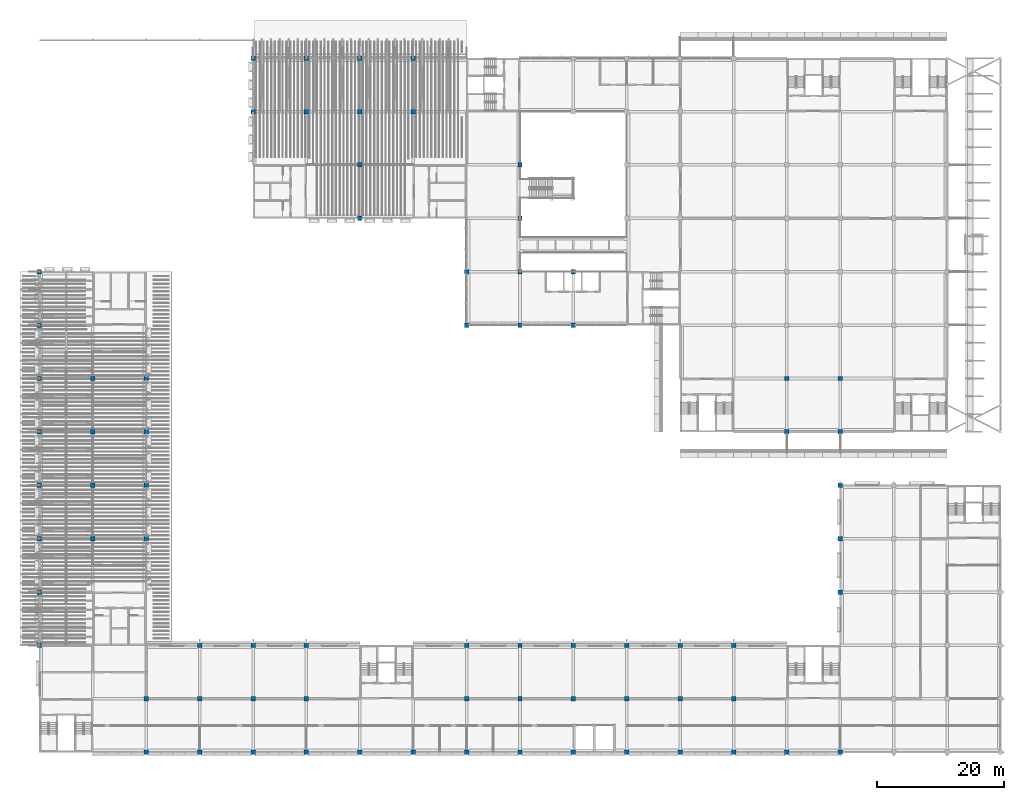
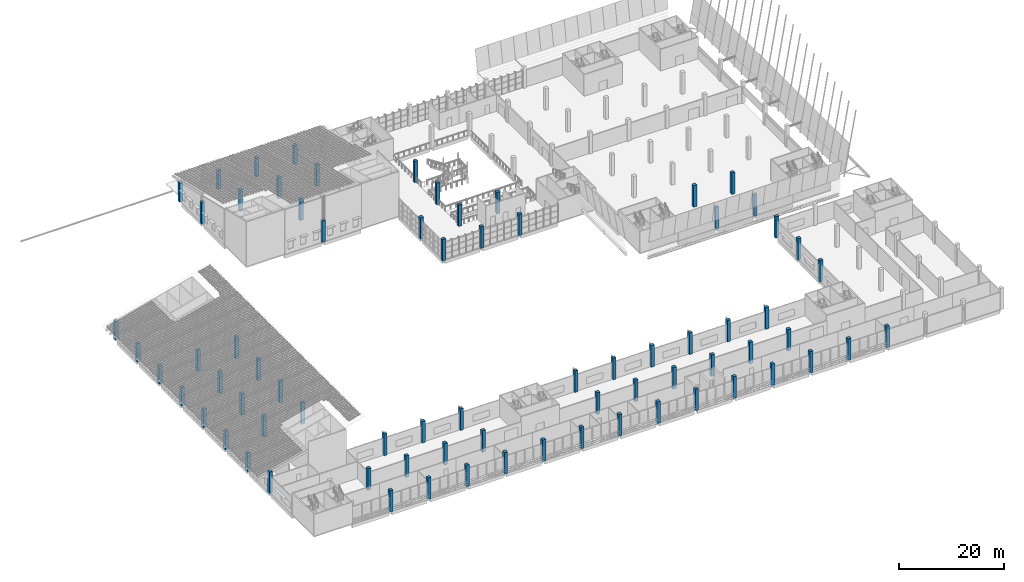
# One storey, part 1 of 82: 74 columns.
"""IFC4 building model written with IfcOpenShell, lengths in metres."""

from ifc_helpers import new_model, si_unit, direction, frame, origin, origin_2d, place, context, subcontext, project, spatial, rectangle, extrude, material, material_profile, profile_set, type_object, element, save


model = new_model("IFC4")

# Units and contexts
model_context = context("Model", 3, precision=1e-05, world=origin(), true_north=direction((0.0, 1.0)))
body_context = subcontext(model_context, "Body", "Model", "MODEL_VIEW")
ifc_project = project(units=[si_unit("LENGTHUNIT", "METRE"), si_unit("AREAUNIT", "SQUARE_METRE"), si_unit("VOLUMEUNIT", "CUBIC_METRE"), si_unit("PLANEANGLEUNIT", "RADIAN"), si_unit("MASSUNIT", "GRAM", prefix="KILO")], contexts=[model_context])

# Site, building, storey
site_placement = place(None, origin())
site = spatial("IfcSite", under=ifc_project, at=site_placement, CompositionType="ELEMENT")
building_placement = place(site_placement, origin())
building = spatial("IfcBuilding", under=site, at=building_placement, Name="Almond Square Museum", CompositionType="ELEMENT")
storey_placement = place(building_placement, frame((0.0, 0.0, 20.0)))
storey = spatial("IfcBuildingStorey", under=building, at=storey_placement, Name="L03", CompositionType="ELEMENT", Elevation=20.0)

# Columns
ifc_material = material(Name="Concrete C40/50", Category="concrete")
ifc_material_profile = material_profile(ifc_material, rectangle(XDim=0.699951171875, YDim=0.699951171875, at=origin_2d()))
ifc_profile_set = profile_set([ifc_material_profile], Name="Concrete C40/50")
column_type = type_object("IfcColumnType", Name="RC column 700 x 700 C40/50", PredefinedType="COLUMN", material=ifc_profile_set)
column_1_placement = place(storey_placement, frame((6.0, 16.800048828125, 0.0), z_axis=(0.0, 0.0, 1.0), x_axis=(1.0, 0.0, 0.0)))
element("IfcColumn", 1, at=column_1_placement, inside=storey, type_object=column_type, Name="Column 2-C L03", PredefinedType="COLUMN", context=body_context, shape_type="SweptSolid", body=[
    extrude(rectangle(XDim=0.699951171875, YDim=0.699951171875, at=origin_2d()), origin(), (0.0, 0.0, 1.0), 5.0),
])
for number, where, z_axis, x_axis, name in (
    (2, (6.0, 25.199951171875, 0.0), (0.0, 0.0, 1.0), (1.0, 0.0, 0.0), "Column 2-D L03"),
    (3, (6.0, 33.60009765625, 0.0), (0.0, 0.0, 1.0), (1.0, 0.0, 0.0), "Column 2-E L03"),
    (4, (6.0, 42.0, 0.0), (0.0, 0.0, 1.0), (1.0, 0.0, 0.0), "Column 2-F L03"),
    (5, (6.0, 50.39990234375, 0.0), (0.0, 0.0, 1.0), (1.0, 0.0, 0.0), "Column 2-G L03"),
    (6, (6.0, 58.800048828125, 0.0), (0.0, 0.0, 1.0), (1.0, 0.0, 0.0), "Column 2-H L03"),
    (7, (6.0, 67.199951171875, 0.0), (0.0, 0.0, 1.0), (1.0, 0.0, 0.0), "Column 2-I L03"),
    (8, (6.0, 75.60009765625, 0.0), (0.0, 0.0, 1.0), (1.0, 0.0, 0.0), "Column 2-J L03"),
):
    element("IfcColumn", number, at=place(storey_placement, frame(where, z_axis=z_axis, x_axis=x_axis)), inside=storey, type_object=column_type, Name=name, PredefinedType="COLUMN", context=body_context, shape_type="SweptSolid", body=[
        extrude(rectangle(XDim=0.699951171875, YDim=0.699951171875, at=origin_2d()), origin(), (0.0, 0.0, 1.0), 4.344970703125),
    ])
for number, where, z_axis, x_axis, name in (
    (9, (14.39990234375, 33.60009765625, 0.0), (0.0, 0.0, 1.0), (1.0, 0.0, 0.0), "Column 3-E L03"),
    (10, (14.39990234375, 42.0, 0.0), (0.0, 0.0, 1.0), (1.0, 0.0, 0.0), "Column 3-F L03"),
    (11, (14.39990234375, 50.39990234375, 0.0), (0.0, 0.0, 1.0), (1.0, 0.0, 0.0), "Column 3-G L03"),
    (12, (14.39990234375, 58.800048828125, 0.0), (0.0, 0.0, 1.0), (1.0, 0.0, 0.0), "Column 3-H L03"),
    (13, (22.800048828125, 0.0, 0.0), (0.0, 0.0, 1.0), (1.0, 0.0, 0.0), "Column 4-A L03"),
    (14, (22.800048828125, 8.39990234375, 0.0), (0.0, 0.0, 1.0), (1.0, 0.0, 0.0), "Column 4-B L03"),
    (15, (22.800048828125, 33.60009765625, 0.0), (0.0, 0.0, 1.0), (1.0, 0.0, 0.0), "Column 4-E L03"),
    (16, (22.800048828125, 42.0, 0.0), (0.0, 0.0, 1.0), (1.0, 0.0, 0.0), "Column 4-F L03"),
    (17, (22.800048828125, 50.39990234375, 0.0), (0.0, 0.0, 1.0), (1.0, 0.0, 0.0), "Column 4-G L03"),
    (18, (22.800048828125, 58.800048828125, 0.0), (0.0, 0.0, 1.0), (1.0, 0.0, 0.0), "Column 4-H L03"),
    (19, (31.199951171875, 0.0, 0.0), (0.0, 0.0, 1.0), (1.0, 0.0, 0.0), "Column 5-A L03"),
    (20, (31.199951171875, 8.39990234375, 0.0), (0.0, 0.0, 1.0), (1.0, 0.0, 0.0), "Column 5-B L03"),
    (21, (31.199951171875, 16.800048828125, 0.0), (0.0, 0.0, 1.0), (1.0, 0.0, 0.0), "Column 5-C L03"),
    (22, (39.60009765625, 0.0, 0.0), (0.0, 0.0, 1.0), (1.0, 0.0, 0.0), "Column 6-A L03"),
    (23, (39.60009765625, 8.39990234375, 0.0), (0.0, 0.0, 1.0), (1.0, 0.0, 0.0), "Column 6-B L03"),
    (24, (39.60009765625, 16.800048828125, 0.0), (0.0, 0.0, 1.0), (1.0, 0.0, 0.0), "Column 6-C L03"),
    (25, (39.60009765625, 100.800048828125, 0.0), (0.0, 0.0, 1.0), (1.0, 0.0, 0.0), "Column 6-M L03"),
):
    element("IfcColumn", number, at=place(storey_placement, frame(where, z_axis=z_axis, x_axis=x_axis)), inside=storey, type_object=column_type, Name=name, PredefinedType="COLUMN", context=body_context, shape_type="SweptSolid", body=[
        extrude(rectangle(XDim=0.699951171875, YDim=0.699951171875, at=origin_2d()), origin(), (0.0, 0.0, 1.0), 5.0),
    ])
column_2_placement = place(storey_placement, frame((39.60009765625, 109.199951171875, 0.0), z_axis=(0.0, 0.0, 1.0), x_axis=(1.0, 0.0, 0.0)))
element("IfcColumn", 26, at=column_2_placement, inside=storey, type_object=column_type, Name="Column 6-N L03", PredefinedType="COLUMN", context=body_context, shape_type="SweptSolid", body=[
    extrude(rectangle(XDim=0.699951171875, YDim=0.699951171875, at=origin_2d()), origin(), (0.0, 0.0, 1.0), 4.35009765625),
])
for number, where, z_axis, x_axis, name in (
    (27, (48.0, 0.0, 0.0), (0.0, 0.0, 1.0), (1.0, 0.0, 0.0), "Column 7-A L03"),
    (28, (48.0, 8.39990234375, 0.0), (0.0, 0.0, 1.0), (1.0, 0.0, 0.0), "Column 7-B L03"),
    (29, (48.0, 16.800048828125, 0.0), (0.0, 0.0, 1.0), (1.0, 0.0, 0.0), "Column 7-C L03"),
    (30, (48.0, 100.800048828125, 0.0), (0.0, 0.0, 1.0), (1.0, 0.0, 0.0), "Column 7-M L03"),
):
    element("IfcColumn", number, at=place(storey_placement, frame(where, z_axis=z_axis, x_axis=x_axis)), inside=storey, type_object=column_type, Name=name, PredefinedType="COLUMN", context=body_context, shape_type="SweptSolid", body=[
        extrude(rectangle(XDim=0.699951171875, YDim=0.699951171875, at=origin_2d()), origin(), (0.0, 0.0, 1.0), 5.0),
    ])
column_3_placement = place(storey_placement, frame((48.0, 109.199951171875, 0.0), z_axis=(0.0, 0.0, 1.0), x_axis=(1.0, 0.0, 0.0)))
element("IfcColumn", 31, at=column_3_placement, inside=storey, type_object=column_type, Name="Column 7-N L03", PredefinedType="COLUMN", context=body_context, shape_type="SweptSolid", body=[
    extrude(rectangle(XDim=0.699951171875, YDim=0.699951171875, at=origin_2d()), origin(), (0.0, 0.0, 1.0), 4.35009765625),
])
for number, where, z_axis, x_axis, name in (
    (32, (56.39990234375, 0.0, 0.0), (0.0, 0.0, 1.0), (1.0, 0.0, 0.0), "Column 8-A L03"),
    (33, (56.39990234375, 84.0, 0.0), (0.0, 0.0, 1.0), (1.0, 0.0, 0.0), "Column 8-K L03"),
    (34, (56.39990234375, 92.39990234375, 0.0), (0.0, 0.0, 1.0), (1.0, 0.0, 0.0), "Column 8-L L03"),
    (35, (56.39990234375, 100.800048828125, 0.0), (0.0, 0.0, 1.0), (1.0, 0.0, 0.0), "Column 8-M L03"),
):
    element("IfcColumn", number, at=place(storey_placement, frame(where, z_axis=z_axis, x_axis=x_axis)), inside=storey, type_object=column_type, Name=name, PredefinedType="COLUMN", context=body_context, shape_type="SweptSolid", body=[
        extrude(rectangle(XDim=0.699951171875, YDim=0.699951171875, at=origin_2d()), origin(), (0.0, 0.0, 1.0), 5.0),
    ])
column_4_placement = place(storey_placement, frame((56.39990234375, 109.199951171875, 0.0), z_axis=(0.0, 0.0, 1.0), x_axis=(1.0, 0.0, 0.0)))
element("IfcColumn", 36, at=column_4_placement, inside=storey, type_object=column_type, Name="Column 8-N L03", PredefinedType="COLUMN", context=body_context, shape_type="SweptSolid", body=[
    extrude(rectangle(XDim=0.699951171875, YDim=0.699951171875, at=origin_2d()), origin(), (0.0, 0.0, 1.0), 4.35009765625),
])
for number, where, z_axis, x_axis, name in (
    (37, (64.800048828125, 0.0, 0.0), (0.0, 0.0, 1.0), (1.0, 0.0, 0.0), "Column 9-A L03"),
    (38, (64.800048828125, 100.800048828125, 0.0), (0.0, 0.0, 1.0), (1.0, 0.0, 0.0), "Column 9-M L03"),
):
    element("IfcColumn", number, at=place(storey_placement, frame(where, z_axis=z_axis, x_axis=x_axis)), inside=storey, type_object=column_type, Name=name, PredefinedType="COLUMN", context=body_context, shape_type="SweptSolid", body=[
        extrude(rectangle(XDim=0.699951171875, YDim=0.699951171875, at=origin_2d()), origin(), (0.0, 0.0, 1.0), 5.0),
    ])
column_5_placement = place(storey_placement, frame((64.800048828125, 109.199951171875, 0.0), z_axis=(0.0, 0.0, 1.0), x_axis=(1.0, 0.0, 0.0)))
element("IfcColumn", 39, at=column_5_placement, inside=storey, type_object=column_type, Name="Column 9-N L03", PredefinedType="COLUMN", context=body_context, shape_type="SweptSolid", body=[
    extrude(rectangle(XDim=0.699951171875, YDim=0.699951171875, at=origin_2d()), origin(), (0.0, 0.0, 1.0), 4.35009765625),
])
for number, where, z_axis, x_axis, name in (
    (40, (73.199951171875, 0.0, 0.0), (0.0, 0.0, 1.0), (1.0, 0.0, 0.0), "Column 10-A L03"),
    (41, (73.199951171875, 8.39990234375, 0.0), (0.0, 0.0, 1.0), (1.0, 0.0, 0.0), "Column 10-B L03"),
    (42, (73.199951171875, 16.800048828125, 0.0), (0.0, 0.0, 1.0), (1.0, 0.0, 0.0), "Column 10-C L03"),
    (43, (73.199951171875, 67.199951171875, 0.0), (0.0, 0.0, 1.0), (1.0, 0.0, 0.0), "Column 10-I L03"),
    (44, (73.199951171875, 75.60009765625, 0.0), (0.0, 0.0, 1.0), (1.0, 0.0, 0.0), "Column 10-J L03"),
    (45, (81.60009765625, 0.0, 0.0), (0.0, 0.0, 1.0), (1.0, 0.0, 0.0), "Column 11-A L03"),
    (46, (81.60009765625, 8.39990234375, 0.0), (0.0, 0.0, 1.0), (1.0, 0.0, 0.0), "Column 11-B L03"),
    (47, (81.60009765625, 16.800048828125, 0.0), (0.0, 0.0, 1.0), (1.0, 0.0, 0.0), "Column 11-C L03"),
    (48, (81.60009765625, 67.199951171875, 0.0), (0.0, 0.0, 1.0), (1.0, 0.0, 0.0), "Column 11-I L03"),
    (49, (81.60009765625, 75.60009765625, 0.0), (0.0, 0.0, 1.0), (1.0, 0.0, 0.0), "Column 11-J L03"),
    (50, (81.60009765625, 84.0, 0.0), (0.0, 0.0, 1.0), (1.0, 0.0, 0.0), "Column 11-K L03"),
    (51, (81.60009765625, 92.39990234375, 0.0), (0.0, 0.0, 1.0), (1.0, 0.0, 0.0), "Column 11-L L03"),
    (52, (90.0, 0.0, 0.0), (0.0, 0.0, 1.0), (1.0, 0.0, 0.0), "Column 12-A L03"),
    (53, (90.0, 8.39990234375, 0.0), (0.0, 0.0, 1.0), (1.0, 0.0, 0.0), "Column 12-B L03"),
    (54, (90.0, 16.800048828125, 0.0), (0.0, 0.0, 1.0), (1.0, 0.0, 0.0), "Column 12-C L03"),
    (55, (90.0, 67.199951171875, 0.0), (0.0, 0.0, 1.0), (1.0, 0.0, 0.0), "Column 12-I L03"),
    (56, (90.0, 75.60009765625, 0.0), (0.0, 0.0, 1.0), (1.0, 0.0, 0.0), "Column 12-J L03"),
    (57, (98.39990234375, 0.0, 0.0), (0.0, 0.0, 1.0), (1.0, 0.0, 0.0), "Column 13-A L03"),
    (58, (98.39990234375, 8.39990234375, 0.0), (0.0, 0.0, 1.0), (1.0, 0.0, 0.0), "Column 13-B L03"),
    (59, (98.39990234375, 16.800048828125, 0.0), (0.0, 0.0, 1.0), (1.0, 0.0, 0.0), "Column 13-C L03"),
    (60, (106.800048828125, 0.0, 0.0), (0.0, 0.0, 1.0), (1.0, 0.0, 0.0), "Column 14-A L03"),
    (61, (106.800048828125, 8.39990234375, 0.0), (0.0, 0.0, 1.0), (1.0, 0.0, 0.0), "Column 14-B L03"),
    (62, (106.800048828125, 16.800048828125, 0.0), (0.0, 0.0, 1.0), (1.0, 0.0, 0.0), "Column 14-C L03"),
    (63, (115.199951171875, 0.0, 0.0), (0.0, 0.0, 1.0), (1.0, 0.0, 0.0), "Column 15-A L03"),
    (64, (115.199951171875, 8.39990234375, 0.0), (0.0, 0.0, 1.0), (1.0, 0.0, 0.0), "Column 15-B L03"),
    (65, (115.199951171875, 16.800048828125, 0.0), (0.0, 0.0, 1.0), (1.0, 0.0, 0.0), "Column 15-C L03"),
    (66, (123.60009765625, 0.0, 0.0), (0.0, 0.0, 1.0), (1.0, 0.0, 0.0), "Column 16-A L03"),
    (67, (123.60009765625, 50.39990234375, 0.0), (0.0, 0.0, 1.0), (1.0, 0.0, 0.0), "Column 16-G L03"),
    (68, (123.60009765625, 58.800048828125, 0.0), (0.0, 0.0, 1.0), (1.0, 0.0, 0.0), "Column 16-H L03"),
    (69, (132.0, 0.0, 0.0), (0.0, 0.0, 1.0), (1.0, 0.0, 0.0), "Column 17-A L03"),
    (70, (132.0, 25.199951171875, 0.0), (0.0, 0.0, 1.0), (1.0, 0.0, 0.0), "Column 17-D L03"),
    (71, (132.0, 33.60009765625, 0.0), (0.0, 0.0, 1.0), (1.0, 0.0, 0.0), "Column 17-E L03"),
    (72, (132.0, 42.0, 0.0), (0.0, 0.0, 1.0), (1.0, 0.0, 0.0), "Column 17-F L03"),
    (73, (132.0, 50.39990234375, 0.0), (0.0, 0.0, 1.0), (1.0, 0.0, 0.0), "Column 17-G L03"),
    (74, (132.0, 58.800048828125, 0.0), (0.0, 0.0, 1.0), (1.0, 0.0, 0.0), "Column 17-H L03"),
):
    element("IfcColumn", number, at=place(storey_placement, frame(where, z_axis=z_axis, x_axis=x_axis)), inside=storey, type_object=column_type, Name=name, PredefinedType="COLUMN", context=body_context, shape_type="SweptSolid", body=[
        extrude(rectangle(XDim=0.699951171875, YDim=0.699951171875, at=origin_2d()), origin(), (0.0, 0.0, 1.0), 5.0),
    ])

save(model, "model.ifc")
